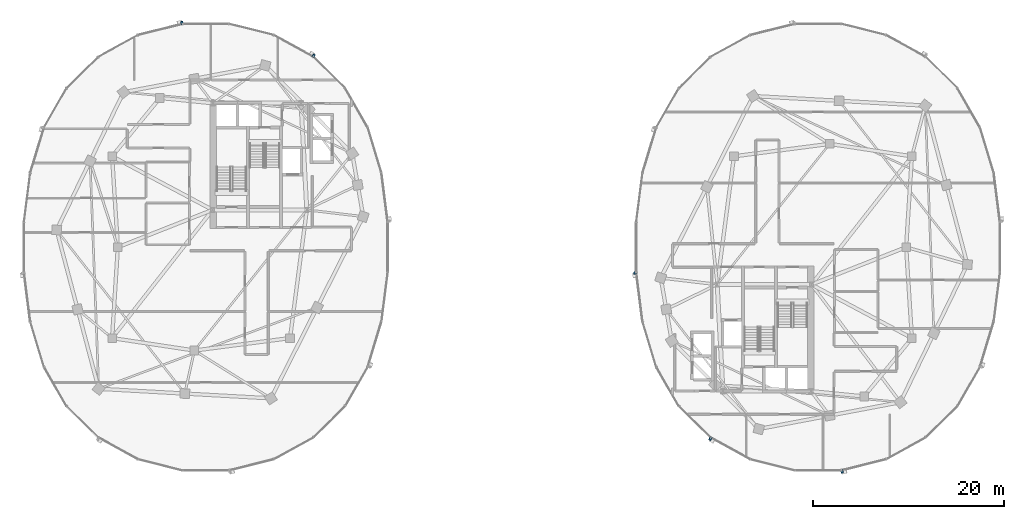
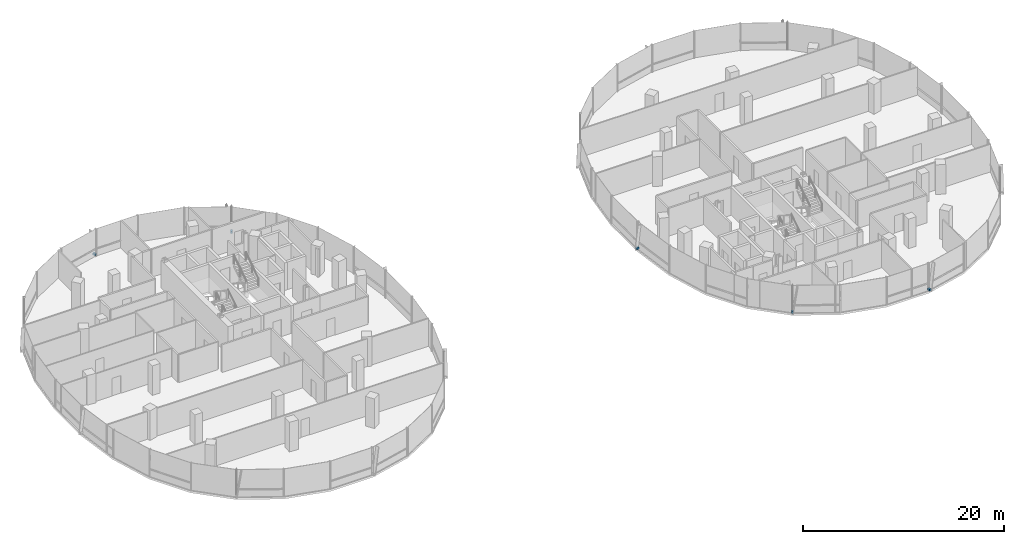
# One storey, part 17 of 23: 5 discrete accessories.
"""IFC4 building model written with IfcOpenShell, lengths in metres."""

from ifc_helpers import new_model, si_unit, direction, frame, origin, origin_2d, place, context, subcontext, project, spatial, rectangle, extrude, material, type_object, element, save


model = new_model("IFC4")

# Units and contexts
model_context = context("Model", 3, precision=1e-05, world=origin(), true_north=direction((0.0, 1.0)))
body_context = subcontext(model_context, "Body", "Model", "MODEL_VIEW")
ifc_project = project(units=[si_unit("LENGTHUNIT", "METRE"), si_unit("AREAUNIT", "SQUARE_METRE"), si_unit("VOLUMEUNIT", "CUBIC_METRE"), si_unit("PLANEANGLEUNIT", "RADIAN"), si_unit("MASSUNIT", "GRAM", prefix="KILO"), si_unit("THERMODYNAMICTEMPERATUREUNIT", "KELVIN"), si_unit("POWERUNIT", "WATT")], contexts=[model_context])

# Site, building, storey
site_placement = place(None, origin())
site = spatial("IfcSite", under=ifc_project, at=site_placement, CompositionType="ELEMENT")
building_placement = place(site_placement, origin())
building = spatial("IfcBuilding", under=site, at=building_placement, Name="Cundina Bronze Exchange", CompositionType="ELEMENT")
storey_placement = place(building_placement, frame((0.0, 0.0, 172.800048828125)))
storey = spatial("IfcBuildingStorey", under=building, at=storey_placement, Name="L45", CompositionType="ELEMENT", Elevation=172.800048828125)

# Discrete accessories
ifc_material = material(Name="Anodised Bronze Aluminium 6063-T6", Category="aluminium")
discrete_accessory_type = type_object("IfcDiscreteAccessoryType", Name="ACC-BRK-FIN", PredefinedType="BRACKET", material=ifc_material)
for number, where, z_axis, x_axis, name in (
    (1, (-20.733154296875, 20.015380859375, 0.10009765625), (0.0, 0.0, 1.0), (-0.875869093438, 0.482548786301, 0.0), "L45 Fin Support Bracket 5"),
    (2, (-34.492919921875, 23.44970703125, 0.10009765625), (0.0, 0.0, 1.0), (-0.970092713791, -0.242734683656, 0.0), "L45 Fin Support Bracket 1"),
    (3, (12.874267578125, -2.69189453125, 0.10009765625), (0.0, 0.0, 1.0), (0.126475984253, -0.9919696696, 0.0), "L45 Fin Support Bracket 1"),
    (4, (20.733154296875, -20.015380859375, 0.10009765625), (0.0, 0.0, 1.0), (0.875869093438, -0.482548786301, 0.0), "L45 Fin Support Bracket 5"),
    (5, (34.492919921875, -23.44970703125, 0.10009765625), (0.0, 0.0, 1.0), (0.970092713791, 0.242734683656, 0.0), "L45 Fin Support Bracket 1"),
):
    element("IfcDiscreteAccessory", number, at=place(storey_placement, frame(where, z_axis=z_axis, x_axis=x_axis)), inside=storey, type_object=discrete_accessory_type, Name=name, PredefinedType="BRACKET", context=body_context, shape_type="SweptSolid", body=[
        extrude(rectangle(XDim=0.219970703125, YDim=0.320068359375, at=origin_2d()), origin(), (0.0, 0.0, 1.0), 0.239990234375),
    ])

save(model, "model.ifc")
